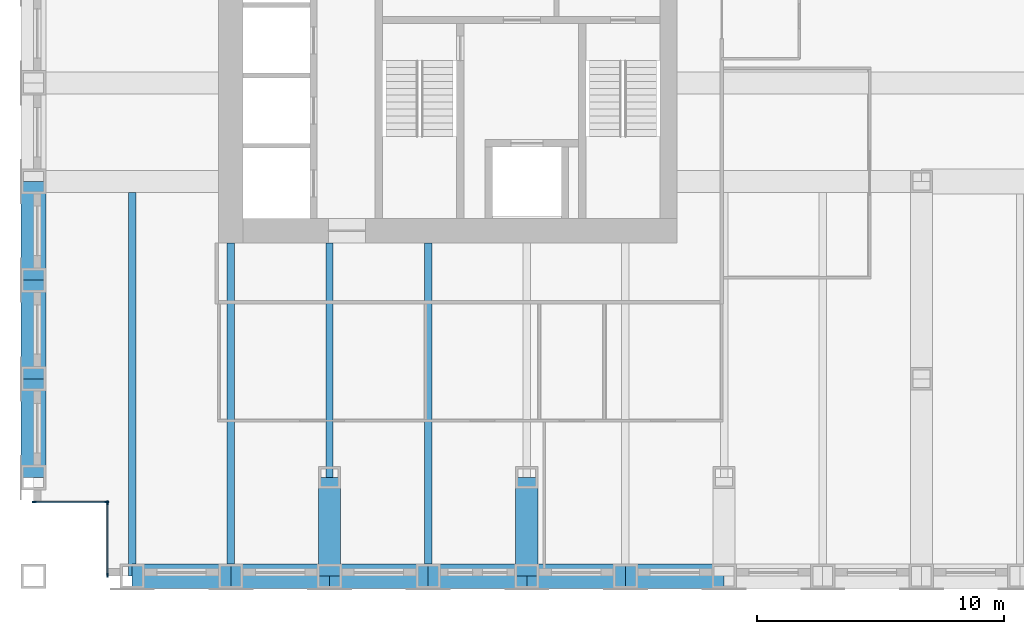
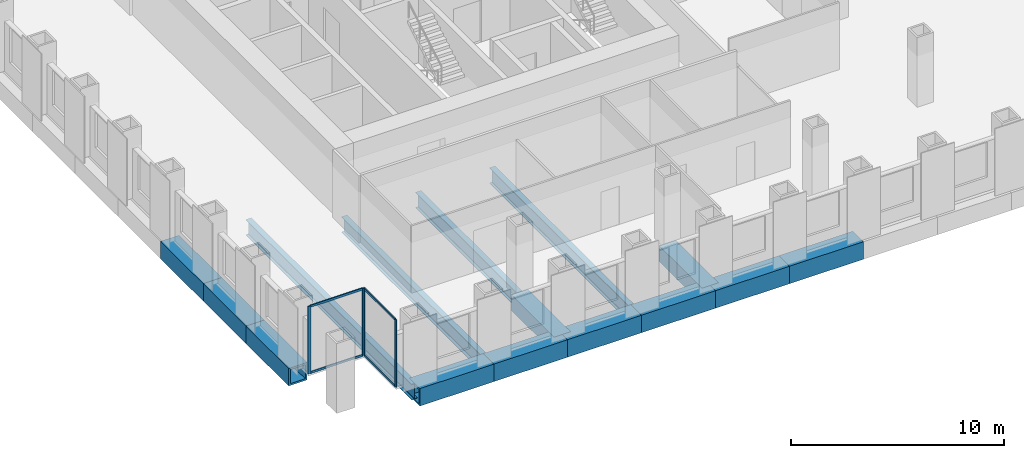
# One storey, part 2 of 15: 15 beams, 8 members, 2 elements without a shape of their own.
"""IFC4 building model written with IfcOpenShell, lengths in metres."""

from ifc_helpers import new_model, si_unit, direction, frame, origin, origin_2d, place, context, subcontext, project, spatial, rectangle, hollow_rectangle, i_section, extrude, material, material_profile, profile_set, type_object, element, aggregate, save


model = new_model("IFC4")

# Units and contexts
model_context = context("Model", 3, precision=1e-05, world=origin(), true_north=direction((0.0, 1.0)))
body_context = subcontext(model_context, "Body", "Model", "MODEL_VIEW")
ifc_project = project(units=[si_unit("LENGTHUNIT", "METRE"), si_unit("AREAUNIT", "SQUARE_METRE"), si_unit("VOLUMEUNIT", "CUBIC_METRE"), si_unit("PLANEANGLEUNIT", "RADIAN"), si_unit("MASSUNIT", "GRAM", prefix="KILO")], contexts=[model_context])

# Site, building, storey
site_placement = place(None, origin())
site = spatial("IfcSite", under=ifc_project, at=site_placement, CompositionType="ELEMENT")
building_placement = place(site_placement, origin())
building = spatial("IfcBuilding", under=site, at=building_placement, Name="Rimbunsela Tower", CompositionType="ELEMENT")
storey_placement = place(building_placement, frame((0.0, 0.0, 113.39990234375)))
storey = spatial("IfcBuildingStorey", under=building, at=storey_placement, Name="L27", CompositionType="ELEMENT", Elevation=113.39990234375)

# Beams
ifc_material_1 = material(Name="Steel BJ 55 (fy 410 MPa)", Category="steel")
ifc_material_profile_1 = material_profile(ifc_material_1, hollow_rectangle(XDim=1.0, YDim=1.0, WallThickness=0.10009765625, at=origin_2d()), Name="BOX 1000x1000x100")
ifc_profile_set_1 = profile_set([ifc_material_profile_1], Name="Steel BJ 55 (fy 410 MPa)")
beam_type_1 = type_object("IfcBeamType", Name="Beam BOX 1000x1000x100", PredefinedType="BEAM", material=ifc_profile_set_1)
for number, where, z_axis, x_axis, name in (
    (1, (10.0, 8.0, -0.64990234375), (0.0, 1.0, 0.0), (-1.0, 0.0, 0.0), "Beam B3 L27"),
    (2, (10.0, 12.0, -0.64990234375), (0.0, 1.0, 0.0), (-1.0, 0.0, 0.0), "Beam B3 L27"),
    (3, (10.0, 16.0, -0.64990234375), (0.0, 1.0, 0.0), (-1.0, 0.0, 0.0), "Beam B3 L27"),
    (4, (14.0, 4.0, -0.64990234375), (1.0, 0.0, 0.0), (0.0, 1.0, 0.0), "Beam B3 L27"),
    (5, (18.0, 4.0, -0.64990234375), (1.0, 0.0, 0.0), (0.0, 1.0, 0.0), "Beam B3 L27"),
    (6, (22.0, 4.0, -0.64990234375), (1.0, 0.0, 0.0), (0.0, 1.0, 0.0), "Beam B3 L27"),
    (7, (26.0, 4.0, -0.64990234375), (1.0, 0.0, 0.0), (0.0, 1.0, 0.0), "Beam B3 L27"),
    (8, (30.0, 4.0, -0.64990234375), (1.0, 0.0, 0.0), (0.0, 1.0, 0.0), "Beam B3 L27"),
    (9, (34.0, 4.0, -0.64990234375), (1.0, 0.0, 0.0), (0.0, 1.0, 0.0), "Beam B3 L27"),
):
    element("IfcBeam", number, at=place(storey_placement, frame(where, z_axis=z_axis, x_axis=x_axis)), inside=storey, type_object=beam_type_1, Name=name, PredefinedType="BEAM", context=body_context, shape_type="SweptSolid", body=[
        extrude(hollow_rectangle(XDim=1.0, YDim=1.0, WallThickness=0.10009765625, at=origin_2d()), origin(), (0.0, 0.0, 1.0), 4.0),
    ])
ifc_material_2 = material(Name="Steel BJ 55 (fy 410 MPa)", Category="steel")
ifc_material_profile_2 = material_profile(ifc_material_2, hollow_rectangle(XDim=0.89990234375, YDim=0.89990234375, WallThickness=0.06005859375, at=origin_2d()), Name="BOX 900x900x60")
ifc_profile_set_2 = profile_set([ifc_material_profile_2], Name="Steel BJ 55 (fy 410 MPa)")
beam_type_2 = type_object("IfcBeamType", Name="Beam BOX 900x900x60", PredefinedType="BEAM", material=ifc_profile_set_2)
for number, where, z_axis, x_axis, name in (
    (10, (22.0, 4.0, -0.599853515625), (0.0, 1.0, 0.0), (-1.0, 0.0, 0.0), "Beam B1 L27"),
    (11, (30.0, 4.0, -0.599853515625), (0.0, 1.0, 0.0), (-1.0, 0.0, 0.0), "Beam B1 L27"),
):
    element("IfcBeam", number, at=place(storey_placement, frame(where, z_axis=z_axis, x_axis=x_axis)), inside=storey, type_object=beam_type_2, Name=name, PredefinedType="BEAM", context=body_context, shape_type="SweptSolid", body=[
        extrude(hollow_rectangle(XDim=0.89990234375, YDim=0.89990234375, WallThickness=0.06005859375, at=origin_2d()), origin(), (0.0, 0.0, 1.0), 4.0),
    ])
ifc_material_3 = material(Name="Steel BJ 55 (fy 410 MPa)", Category="steel")
ifc_material_profile_3 = material_profile(ifc_material_3, i_section(OverallWidth=0.300048828125, OverallDepth=0.89990234375, WebThickness=0.01611328125, FlangeThickness=0.028076171875, FilletRadius=0.028076171875, at=origin_2d()), Name="H 900x300x16x28")
ifc_profile_set_3 = profile_set([ifc_material_profile_3], Name="Steel BJ 55 (fy 410 MPa)")
beam_type_3 = type_object("IfcBeamType", Name="Beam H 900x300x16x28", PredefinedType="BEAM", material=ifc_profile_set_3)
beam_1_placement = place(storey_placement, frame((14.0, 4.0, -0.599853515625), z_axis=(0.0, 1.0, 0.0), x_axis=(-1.0, 0.0, 0.0)))
element("IfcBeam", 12, at=beam_1_placement, inside=storey, type_object=beam_type_3, Name="Beam B2 L27", PredefinedType="BEAM", context=body_context, shape_type="SweptSolid", body=[
    extrude(i_section(OverallWidth=0.300048828125, OverallDepth=0.89990234375, WebThickness=0.01611328125, FlangeThickness=0.028076171875, FilletRadius=0.028076171875, at=origin_2d()), origin(), (0.0, 0.0, 1.0), 15.550048828125),
])
beam_2_placement = place(storey_placement, frame((18.0, 4.0, -0.599853515625), z_axis=(0.0, 1.0, 0.0), x_axis=(-1.0, 0.0, 0.0)))
element("IfcBeam", 13, at=beam_2_placement, inside=storey, type_object=beam_type_3, Name="Beam B2 L27", PredefinedType="BEAM", context=body_context, shape_type="SweptSolid", body=[
    extrude(i_section(OverallWidth=0.300048828125, OverallDepth=0.89990234375, WebThickness=0.01611328125, FlangeThickness=0.028076171875, FilletRadius=0.028076171875, at=origin_2d()), origin(), (0.0, 0.0, 1.0), 13.5),
])
beam_3_placement = place(storey_placement, frame((22.0, 8.0, -0.599853515625), z_axis=(0.0, 1.0, 0.0), x_axis=(-1.0, 0.0, 0.0)))
element("IfcBeam", 14, at=beam_3_placement, inside=storey, type_object=beam_type_3, Name="Beam B2 L27", PredefinedType="BEAM", context=body_context, shape_type="SweptSolid", body=[
    extrude(i_section(OverallWidth=0.300048828125, OverallDepth=0.89990234375, WebThickness=0.01611328125, FlangeThickness=0.028076171875, FilletRadius=0.028076171875, at=origin_2d()), origin(), (0.0, 0.0, 1.0), 9.5),
])
beam_4_placement = place(storey_placement, frame((26.0, 4.0, -0.599853515625), z_axis=(0.0, 1.0, 0.0), x_axis=(-1.0, 0.0, 0.0)))
element("IfcBeam", 15, at=beam_4_placement, inside=storey, type_object=beam_type_3, Name="Beam B2 L27", PredefinedType="BEAM", context=body_context, shape_type="SweptSolid", body=[
    extrude(i_section(OverallWidth=0.300048828125, OverallDepth=0.89990234375, WebThickness=0.01611328125, FlangeThickness=0.028076171875, FilletRadius=0.028076171875, at=origin_2d()), origin(), (0.0, 0.0, 1.0), 13.5),
])

# Curtain wall, members
ifc_material_4 = material(Name="Aluminium curtain wall", Category="aluminium")
curtain_wall_type = type_object("IfcCurtainWallType", Name="Corner glazing", PredefinedType="USERDEFINED", material=ifc_material_4)
curtain_wall_1_placement = place(storey_placement, origin())
curtain_wall_1 = element("IfcCurtainWall", 16, at=curtain_wall_1_placement, inside=storey, type_object=curtain_wall_type, Name="Corner glazing L27", ObjectType="CORNER GLAZING", PredefinedType="USERDEFINED")
ifc_material_5 = material(Name="Aluminium mullion", Category="aluminium")
ifc_material_profile_4 = material_profile(ifc_material_5, rectangle(XDim=0.06005859375, YDim=0.159912109375, at=origin_2d()), Name="Mullion 60x160")
ifc_profile_set_4 = profile_set([ifc_material_profile_4], Name="Aluminium mullion")
member_type_1 = type_object("IfcMemberType", Name="Curtain wall mullion 60x160", PredefinedType="MULLION", material=ifc_profile_set_4)
member_1_placement = place(storey_placement, frame((10.030029296875, 7.0, 0.0), z_axis=(0.0, 0.0, 1.0), x_axis=(0.0, 1.0, 0.0)))
member_1 = element("IfcMember", 17, at=member_1_placement, type_object=member_type_1, Name="CW5 mullion 1", PredefinedType="MULLION", context=body_context, shape_type="SweptSolid", body=[
    extrude(rectangle(XDim=0.06005859375, YDim=0.159912109375, at=origin_2d()), origin(), (0.0, 0.0, 1.0), 3.85009765625),
])
member_2_placement = place(storey_placement, frame((12.969970703125, 7.0, 0.0), z_axis=(0.0, 0.0, 1.0), x_axis=(0.0, 1.0, 0.0)))
member_2 = element("IfcMember", 18, at=member_2_placement, type_object=member_type_1, Name="CW5 mullion 2", PredefinedType="MULLION", context=body_context, shape_type="SweptSolid", body=[
    extrude(rectangle(XDim=0.06005859375, YDim=0.159912109375, at=origin_2d()), origin(), (0.0, 0.0, 1.0), 3.85009765625),
])

curtain_wall_2_placement = place(storey_placement, origin())
curtain_wall_2 = element("IfcCurtainWall", 19, at=curtain_wall_2_placement, inside=storey, type_object=curtain_wall_type, Name="Corner glazing L27", ObjectType="CORNER GLAZING", PredefinedType="USERDEFINED")
member_3_placement = place(storey_placement, frame((13.0, 6.969970703125, 0.0), z_axis=(0.0, 0.0, 1.0), x_axis=(1.0, 0.0, 0.0)))
member_3 = element("IfcMember", 20, at=member_3_placement, type_object=member_type_1, Name="CW5 mullion 1", PredefinedType="MULLION", context=body_context, shape_type="SweptSolid", body=[
    extrude(rectangle(XDim=0.06005859375, YDim=0.159912109375, at=origin_2d()), origin(), (0.0, 0.0, 1.0), 3.85009765625),
])
member_4_placement = place(storey_placement, frame((13.0, 4.030029296875, 0.0), z_axis=(0.0, 0.0, 1.0), x_axis=(1.0, 0.0, 0.0)))
member_4 = element("IfcMember", 21, at=member_4_placement, type_object=member_type_1, Name="CW5 mullion 2", PredefinedType="MULLION", context=body_context, shape_type="SweptSolid", body=[
    extrude(rectangle(XDim=0.06005859375, YDim=0.159912109375, at=origin_2d()), origin(), (0.0, 0.0, 1.0), 3.85009765625),
])

# Member
ifc_material_6 = material(Name="Aluminium transom", Category="aluminium")
ifc_material_profile_5 = material_profile(ifc_material_6, rectangle(XDim=0.06005859375, YDim=0.1201171875, at=origin_2d()), Name="Transom 60x120")
ifc_profile_set_5 = profile_set([ifc_material_profile_5], Name="Aluminium transom")
member_type_2 = type_object("IfcMemberType", Name="Curtain wall transom 60x120", PredefinedType="USERDEFINED", material=ifc_profile_set_5)
member_5_placement = place(storey_placement, frame((10.06005859375, 7.0, 0.030029296875), z_axis=(1.0, 0.0, 0.0), x_axis=(0.0, 1.0, 0.0)))
member_5 = element("IfcMember", 22, at=member_5_placement, type_object=member_type_2, Name="CW5 transom 1.1", ObjectType="TRANSOM", PredefinedType="USERDEFINED", context=body_context, shape_type="SweptSolid", body=[
    extrude(rectangle(XDim=0.06005859375, YDim=0.1201171875, at=origin_2d()), origin(), (0.0, 0.0, 1.0), 2.8798828125),
])

member_6_placement = place(storey_placement, frame((10.06005859375, 7.0, 3.820068359375), z_axis=(1.0, 0.0, 0.0), x_axis=(0.0, 1.0, 0.0)))
member_6 = element("IfcMember", 23, at=member_6_placement, type_object=member_type_2, Name="CW5 transom 1.2", ObjectType="TRANSOM", PredefinedType="USERDEFINED", context=body_context, shape_type="SweptSolid", body=[
    extrude(rectangle(XDim=0.06005859375, YDim=0.1201171875, at=origin_2d()), origin(), (0.0, 0.0, 1.0), 2.8798828125),
])

aggregate(curtain_wall_1, [member_1, member_2, member_5, member_6])

member_7_placement = place(storey_placement, frame((13.0, 6.93994140625, 0.030029296875), z_axis=(0.0, -1.0, 0.0), x_axis=(1.0, 0.0, 0.0)))
member_7 = element("IfcMember", 24, at=member_7_placement, type_object=member_type_2, Name="CW5 transom 1.1", ObjectType="TRANSOM", PredefinedType="USERDEFINED", context=body_context, shape_type="SweptSolid", body=[
    extrude(rectangle(XDim=0.06005859375, YDim=0.1201171875, at=origin_2d()), origin(), (0.0, 0.0, 1.0), 2.8798828125),
])

member_8_placement = place(storey_placement, frame((13.0, 6.93994140625, 3.820068359375), z_axis=(0.0, -1.0, 0.0), x_axis=(1.0, 0.0, 0.0)))
member_8 = element("IfcMember", 25, at=member_8_placement, type_object=member_type_2, Name="CW5 transom 1.2", ObjectType="TRANSOM", PredefinedType="USERDEFINED", context=body_context, shape_type="SweptSolid", body=[
    extrude(rectangle(XDim=0.06005859375, YDim=0.1201171875, at=origin_2d()), origin(), (0.0, 0.0, 1.0), 2.8798828125),
])

aggregate(curtain_wall_2, [member_3, member_4, member_7, member_8])

save(model, "model.ifc")
